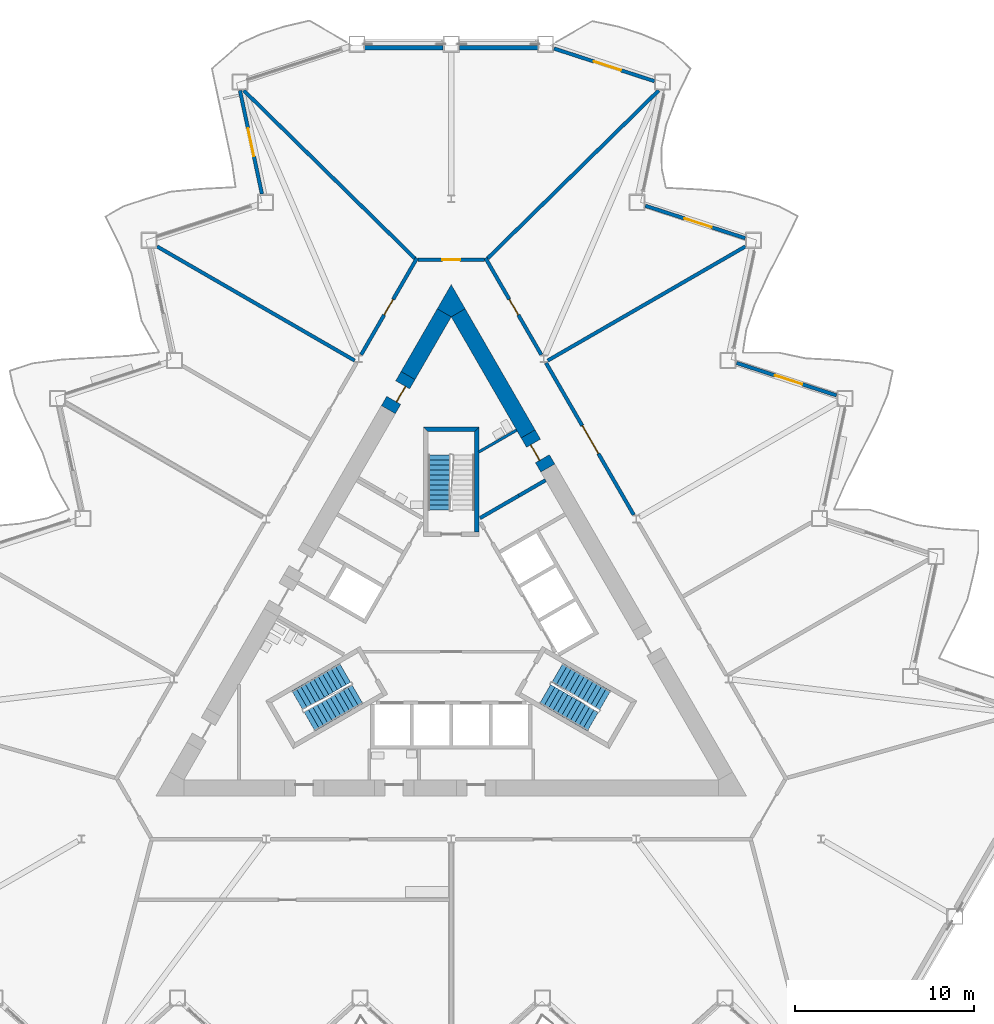
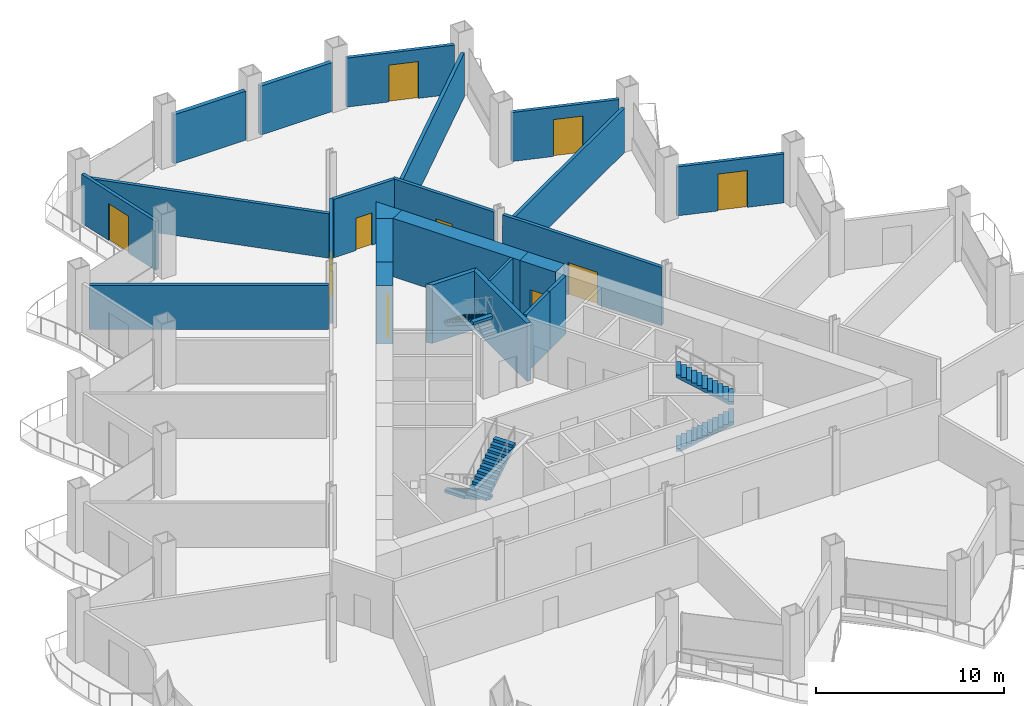
# One storey, part 13 of 21: 24 walls, 10 doors, 5 stair flights, 10 openings, 3 elements without a shape of their own.
"""IFC4 building model written with IfcOpenShell, lengths in metres."""

from ifc_helpers import new_model, si_unit, direction, frame, frame_2d, origin, place, context, subcontext, project, spatial, polyline, rectangle, outline, extrude, material, layer, layer_set, type_object, element, fill, aggregate, save


model = new_model("IFC4")

# Units and contexts
model_context = context("Model", 3, precision=1e-05, world=origin(), true_north=direction((0.0, 1.0)))
body_context = subcontext(model_context, "Body", "Model", "MODEL_VIEW")
ifc_project = project(units=[si_unit("LENGTHUNIT", "METRE"), si_unit("AREAUNIT", "SQUARE_METRE"), si_unit("VOLUMEUNIT", "CUBIC_METRE"), si_unit("PLANEANGLEUNIT", "RADIAN"), si_unit("MASSUNIT", "GRAM", prefix="KILO")], contexts=[model_context])

# Site, building, storey
site_placement = place(None, origin())
site = spatial("IfcSite", under=ifc_project, at=site_placement, CompositionType="ELEMENT")
building_placement = place(site_placement, origin())
building = spatial("IfcBuilding", under=site, at=building_placement, Name="Cormorant Prow Tower", CompositionType="ELEMENT")
storey_placement = place(building_placement, frame((0.0, 0.0, 141.60009765625)))
storey = spatial("IfcBuildingStorey", under=building, at=storey_placement, Name="L30", CompositionType="ELEMENT", Elevation=141.60009765625)

# Walls
ifc_material_1 = material(Name="Gypsum board partition")
ifc_layer_1 = layer(ifc_material_1, 0.14990234375)
ifc_layer_set_1 = layer_set([ifc_layer_1], Name="Gypsum board partition")
wall_type_1 = type_object("IfcWallType", Name="Core partition 150", PredefinedType="PARTITIONING", material=ifc_layer_set_1)
wall_1_placement = place(storey_placement, frame((3.654296875, 10.923095703125, 0.0), z_axis=(0.0, 0.0, 1.0), x_axis=(-0.865974546186, -0.5000880776, 0.0)))
element("IfcWall", 1, at=wall_1_placement, inside=storey, type_object=wall_type_1, Name="Service room partition", PredefinedType="PARTITIONING", context=body_context, shape_type="SweptSolid", body=[
    extrude(rectangle(XDim=2.44677734375, YDim=0.14990234375, at=frame_2d((1.223388671875, 0.0))), origin(), (0.0, 0.0, 1.0), 3.7998046875),
])
ifc_material_2 = material(Name="Concrete 8000 psi", Category="concrete")
ifc_layer_2 = layer(ifc_material_2, 0.89990234375)
ifc_layer_set_2 = layer_set([ifc_layer_2], Name="Concrete 8000 psi")
wall_type_2 = type_object("IfcWallType", Name="Core shear wall 900", PredefinedType="SHEAR", material=ifc_layer_set_2)
wall_2_placement = place(storey_placement, frame((4.2958984375, 10.7119140625, 0.0), z_axis=(0.0, 0.0, 1.0), x_axis=(-0.500011000363, 0.866019052629, 0.0)))
element("IfcWall", 2, at=wall_2_placement, inside=storey, type_object=wall_type_2, Name="Core wall", PredefinedType="SHEAR", context=body_context, shape_type="SweptSolid", body=[
    extrude(rectangle(XDim=7.812255859375, YDim=0.89990234375, at=frame_2d((3.90625, 0.0))), origin(), (0.0, 0.0, 1.0), 3.7998046875),
])
wall_3_placement = place(storey_placement, frame((-0.3896484375, 17.4775390625, 0.0), z_axis=(0.0, 0.0, 1.0), x_axis=(-0.500046330384, -0.865998653272, 0.0)))
element("IfcWall", 3, at=wall_3_placement, inside=storey, type_object=wall_type_2, Name="Core wall", PredefinedType="SHEAR", context=body_context, shape_type="SweptSolid", body=[
    extrude(rectangle(XDim=4.04541015625, YDim=0.89990234375, at=frame_2d((2.022705078125, 0.0))), origin(), (0.0, 0.0, 1.0), 3.7998046875),
])
wall_4_placement = place(storey_placement, origin())
element("IfcWall", 4, at=wall_4_placement, inside=storey, type_object=wall_type_2, Name="Core wall corner", PredefinedType="SHEAR", context=body_context, shape_type="SweptSolid", body=[
    extrude(outline(polyline([(-0.779296875, 17.70263671875), (0.0, 19.052490234375), (0.779296875, 17.70263671875), (0.0, 17.252685546875), (-0.779296875, 17.70263671875)])), origin(), (0.0, 0.0, 1.0), 3.7998046875),
])

# Wall, opening, door
wall_5_placement = place(storey_placement, frame((5.39599609375, 8.806396484375, 0.0), z_axis=(0.0, 0.0, 1.0), x_axis=(-0.499981787252, 0.866035918664, 0.0)))
wall_5 = element("IfcWall", 5, at=wall_5_placement, inside=storey, type_object=wall_type_2, Name="Core wall door panel", PredefinedType="SHEAR", context=body_context, shape_type="SweptSolid", body=[
    extrude(rectangle(XDim=2.2001953125, YDim=0.89990234375, at=frame_2d((1.10009765625, 0.0))), origin(), (0.0, 0.0, 1.0), 3.7998046875),
])
opening_1_placement = place(wall_5_placement, frame((0.60009765625, 0.0, 0.0)))
opening_1 = element("IfcOpeningElement", 6, at=opening_1_placement, cuts=wall_5, Name="Opening L30-C21", PredefinedType="OPENING", context=body_context, shape_type="SweptSolid", body=[
    extrude(rectangle(XDim=1.0, YDim=2.10009765625, at=frame_2d((0.5, 1.050048828125))), frame((0.0, 0.4599609375, 0.0), z_axis=(0.0, -1.0, 0.0), x_axis=(1.0, 0.0, 0.0)), (0.0, 0.0, 1.0), 0.919921875),
])
ifc_material_3 = material(Name="Painted steel", Category="steel")
door_type_1 = type_object("IfcDoorType", Name="Service door 1000x2100", OperationType="NOTDEFINED", PredefinedType="DOOR", material=ifc_material_3)
door_1_placement = place(opening_1_placement, origin())
door_1 = element("IfcDoor", 7, at=door_1_placement, inside=storey, type_object=door_type_1, Name="Core door, Electrical room", OperationType="SINGLE_SWING_RIGHT", OverallHeight=2.10009765625, OverallWidth=1.0, PredefinedType="DOOR", context=body_context, shape_type="SweptSolid", body=[
    extrude(rectangle(XDim=1.0, YDim=2.10009765625, at=frame_2d((0.5, 1.050048828125))), frame((0.0, 0.205078125, 0.0), z_axis=(0.0, -1.0, 0.0), x_axis=(1.0, 0.0, 0.0)), (0.0, 0.0, 1.0), 0.050048828125),
])
fill(opening_1, door_1)

wall_6_placement = place(storey_placement, frame((-2.41259765625, 13.97412109375, 0.0), z_axis=(0.0, 0.0, 1.0), x_axis=(-0.499946605688, -0.86605622881, 0.0)))
wall_6 = element("IfcWall", 8, at=wall_6_placement, inside=storey, type_object=wall_type_2, Name="Core wall door panel", PredefinedType="SHEAR", context=body_context, shape_type="SweptSolid", body=[
    extrude(rectangle(XDim=2.199951171875, YDim=0.89990234375, at=frame_2d((1.10009765625, 0.0))), origin(), (0.0, 0.0, 1.0), 3.7998046875),
])
opening_2_placement = place(wall_6_placement, frame((0.60009765625, 0.0, 0.0)))
opening_2 = element("IfcOpeningElement", 9, at=opening_2_placement, cuts=wall_6, Name="Opening L30-C22", PredefinedType="OPENING", context=body_context, shape_type="SweptSolid", body=[
    extrude(rectangle(XDim=1.0, YDim=2.10009765625, at=frame_2d((0.5, 1.050048828125))), frame((0.0, 0.4599609375, 0.0), z_axis=(0.0, -1.0, 0.0), x_axis=(1.0, 0.0, 0.0)), (0.0, 0.0, 1.0), 0.919921875),
])
door_2_placement = place(opening_2_placement, origin())
door_2 = element("IfcDoor", 10, at=door_2_placement, inside=storey, type_object=door_type_1, Name="Core door, Toilets (men) L30", OperationType="SINGLE_SWING_RIGHT", OverallHeight=2.10009765625, OverallWidth=1.0, PredefinedType="DOOR", context=body_context, shape_type="SweptSolid", body=[
    extrude(rectangle(XDim=1.0, YDim=2.10009765625, at=frame_2d((0.5, 1.050048828125))), frame((0.0, 0.205078125, 0.0), z_axis=(0.0, -1.0, 0.0), x_axis=(1.0, 0.0, 0.0)), (0.0, 0.0, 1.0), 0.050048828125),
])
fill(opening_2, door_2)

ifc_material_4 = material(Name="Gypsum board corridor wall")
ifc_layer_3 = layer(ifc_material_4, 0.199951171875)
ifc_layer_set_3 = layer_set([ifc_layer_3], Name="Gypsum board corridor wall")
wall_type_3 = type_object("IfcWallType", Name="Corridor wall 200", PredefinedType="PARTITIONING", material=ifc_layer_set_3)
wall_7_placement = place(storey_placement, frame((5.29541015625, 14.680419921875, 0.0), z_axis=(0.0, 0.0, 1.0), x_axis=(0.500012035596, -0.866018454918, 0.0)))
wall_7 = element("IfcWall", 11, at=wall_7_placement, inside=storey, type_object=wall_type_3, Name="Corridor wall", PredefinedType="PARTITIONING", context=body_context, shape_type="SweptSolid", body=[
    extrude(rectangle(XDim=9.803466796875, YDim=0.199951171875, at=frame_2d((4.90185546875, 0.0))), origin(), (0.0, 0.0, 1.0), 3.7998046875),
])
opening_3_placement = place(wall_7_placement, frame((4.0517578125, 0.0, 0.0)))
opening_3 = element("IfcOpeningElement", 12, at=opening_3_placement, cuts=wall_7, Name="Opening L30-F07", PredefinedType="OPENING", context=body_context, shape_type="SweptSolid", body=[
    extrude(rectangle(XDim=1.800048828125, YDim=2.10009765625, at=frame_2d((0.89990234375, 1.050048828125))), frame((0.0, 0.10986328125, 0.0), z_axis=(0.0, -1.0, 0.0), x_axis=(1.0, 0.0, 0.0)), (0.0, 0.0, 1.0), 0.219970703125),
])
ifc_material_5 = material(Name="Timber door leaf", Category="wood")
door_type_2 = type_object("IfcDoorType", Name="Double door 1800x2100", OperationType="DOUBLE_DOOR_SINGLE_SWING", PredefinedType="DOOR", material=ifc_material_5)
door_3_placement = place(opening_3_placement, origin())
door_3 = element("IfcDoor", 13, at=door_3_placement, inside=storey, type_object=door_type_2, Name="Trading room door", OperationType="DOUBLE_DOOR_SINGLE_SWING", OverallHeight=2.10009765625, OverallWidth=1.800048828125, PredefinedType="DOOR", context=body_context, shape_type="SweptSolid", body=[
    extrude(rectangle(XDim=1.800048828125, YDim=2.10009765625, at=frame_2d((0.89990234375, 1.050048828125))), frame((0.0, 0.02490234375, 0.0), z_axis=(0.0, -1.0, 0.0), x_axis=(1.0, 0.0, 0.0)), (0.0, 0.0, 1.0), 0.050048828125),
])
fill(opening_3, door_3)

wall_8_placement = place(storey_placement, frame((-5.032958984375, 15.13525390625, 0.0), z_axis=(0.0, 0.0, 1.0), x_axis=(0.499980978912, 0.866036385336, 0.0)))
wall_8 = element("IfcWall", 14, at=wall_8_placement, inside=storey, type_object=wall_type_3, Name="Corridor wall", PredefinedType="PARTITIONING", context=body_context, shape_type="SweptSolid", body=[
    extrude(rectangle(XDim=6.239990234375, YDim=0.199951171875, at=frame_2d((3.1201171875, 0.0))), origin(), (0.0, 0.0, 1.0), 3.7998046875),
])
opening_4_placement = place(wall_8_placement, frame((2.569580078125, 0.0, 0.0)))
opening_4 = element("IfcOpeningElement", 15, at=opening_4_placement, cuts=wall_8, Name="Opening L30-F10", PredefinedType="OPENING", context=body_context, shape_type="SweptSolid", body=[
    extrude(rectangle(XDim=1.0, YDim=2.10009765625, at=frame_2d((0.5, 1.050048828125))), frame((0.0, 0.10986328125, 0.0), z_axis=(0.0, -1.0, 0.0), x_axis=(1.0, 0.0, 0.0)), (0.0, 0.0, 1.0), 0.219970703125),
])
ifc_material_6 = material(Name="Timber door leaf", Category="wood")
door_type_3 = type_object("IfcDoorType", Name="Office door 1000x2100", OperationType="NOTDEFINED", PredefinedType="DOOR", material=ifc_material_6)
door_4_placement = place(opening_4_placement, origin())
door_4 = element("IfcDoor", 16, at=door_4_placement, inside=storey, type_object=door_type_3, Name="Co-working room door", OperationType="SINGLE_SWING_RIGHT", OverallHeight=2.10009765625, OverallWidth=1.0, PredefinedType="DOOR", context=body_context, shape_type="SweptSolid", body=[
    extrude(rectangle(XDim=1.0, YDim=2.10009765625, at=frame_2d((0.5, 1.050048828125))), frame((0.0, 0.02490234375, 0.0), z_axis=(0.0, -1.0, 0.0), x_axis=(1.0, 0.0, 0.0)), (0.0, 0.0, 1.0), 0.050048828125),
])
fill(opening_4, door_4)

wall_9_placement = place(storey_placement, frame((1.9130859375, 20.539306640625, 0.0), z_axis=(0.0, 0.0, 1.0), x_axis=(0.499980978912, -0.866036385336, 0.0)))
wall_9 = element("IfcWall", 17, at=wall_9_placement, inside=storey, type_object=wall_type_3, Name="Corridor wall", PredefinedType="PARTITIONING", context=body_context, shape_type="SweptSolid", body=[
    extrude(rectangle(XDim=6.239990234375, YDim=0.199951171875, at=frame_2d((3.1201171875, 0.0))), origin(), (0.0, 0.0, 1.0), 3.7998046875),
])
opening_5_placement = place(wall_9_placement, frame((2.67041015625, 0.0, 0.0)))
opening_5 = element("IfcOpeningElement", 18, at=opening_5_placement, cuts=wall_9, Name="Opening L30-F08", PredefinedType="OPENING", context=body_context, shape_type="SweptSolid", body=[
    extrude(rectangle(XDim=1.0, YDim=2.10009765625, at=frame_2d((0.5, 1.050048828125))), frame((0.0, 0.10986328125, 0.0), z_axis=(0.0, -1.0, 0.0), x_axis=(1.0, 0.0, 0.0)), (0.0, 0.0, 1.0), 0.219970703125),
])
door_5_placement = place(opening_5_placement, origin())
door_5 = element("IfcDoor", 19, at=door_5_placement, inside=storey, type_object=door_type_3, Name="Open-plan office door", OperationType="SINGLE_SWING_RIGHT", OverallHeight=2.10009765625, OverallWidth=1.0, PredefinedType="DOOR", context=body_context, shape_type="SweptSolid", body=[
    extrude(rectangle(XDim=1.0, YDim=2.10009765625, at=frame_2d((0.5, 1.050048828125))), frame((0.0, 0.02490234375, 0.0), z_axis=(0.0, -1.0, 0.0), x_axis=(1.0, 0.0, 0.0)), (0.0, 0.0, 1.0), 0.050048828125),
])
fill(opening_5, door_5)

wall_10_placement = place(storey_placement, frame((-1.863037109375, 20.45263671875, 0.0), z_axis=(0.0, 0.0, 1.0), x_axis=(1.0, 0.0, 0.0)))
wall_10 = element("IfcWall", 20, at=wall_10_placement, inside=storey, type_object=wall_type_3, Name="Corridor wall", PredefinedType="PARTITIONING", context=body_context, shape_type="SweptSolid", body=[
    extrude(rectangle(XDim=3.72607421875, YDim=0.199951171875, at=frame_2d((1.863037109375, 0.0))), origin(), (0.0, 0.0, 1.0), 3.7998046875),
])
opening_6_placement = place(wall_10_placement, frame((1.363037109375, 0.0, 0.0)))
opening_6 = element("IfcOpeningElement", 21, at=opening_6_placement, cuts=wall_10, Name="Opening L30-F09", PredefinedType="OPENING", context=body_context, shape_type="SweptSolid", body=[
    extrude(rectangle(XDim=1.0, YDim=2.10009765625, at=frame_2d((0.5, 1.050048828125))), frame((0.0, 0.10986328125, 0.0), z_axis=(0.0, -1.0, 0.0), x_axis=(1.0, 0.0, 0.0)), (0.0, 0.0, 1.0), 0.219970703125),
])
door_6_placement = place(opening_6_placement, origin())
door_6 = element("IfcDoor", 22, at=door_6_placement, inside=storey, type_object=door_type_3, Name="Tenant suite door", OperationType="SINGLE_SWING_RIGHT", OverallHeight=2.10009765625, OverallWidth=1.0, PredefinedType="DOOR", context=body_context, shape_type="SweptSolid", body=[
    extrude(rectangle(XDim=1.0, YDim=2.10009765625, at=frame_2d((0.5, 1.050048828125))), frame((0.0, 0.02490234375, 0.0), z_axis=(0.0, -1.0, 0.0), x_axis=(1.0, 0.0, 0.0)), (0.0, 0.0, 1.0), 0.050048828125),
])
fill(opening_6, door_6)

# Walls
ifc_material_7 = material(Name="Gypsum board demising wall")
ifc_layer_4 = layer(ifc_material_7, 0.199951171875)
ifc_layer_set_4 = layer_set([ifc_layer_4], Name="Gypsum board demising wall")
wall_type_4 = type_object("IfcWallType", Name="Demising wall 200", PredefinedType="PARTITIONING", material=ifc_layer_set_4)
for number, where, z_axis, x_axis, name in (
    (23, (2.034423828125, 20.522705078125, 0.0), (0.0, 0.0, 1.0), (0.713664516359, 0.700487657343, 0.0), "Demising wall"),
    (24, (-11.594482421875, 29.90625, 0.0), (0.0, 0.0, 1.0), (0.713664516359, -0.700487657343, 0.0), "Demising wall"),
):
    element("IfcWall", number, at=place(storey_placement, frame(where, z_axis=z_axis, x_axis=x_axis)), inside=storey, type_object=wall_type_4, Name=name, PredefinedType="PARTITIONING", context=body_context, shape_type="SweptSolid", body=[
        extrude(rectangle(XDim=13.395751953125, YDim=0.199951171875, at=frame_2d((6.69775390625, 0.0))), origin(), (0.0, 0.0, 1.0), 2.88525390625),
    ])
for number, where, z_axis, x_axis, name in (
    (25, (5.3916015625, 14.808837890625, 0.0), (0.0, 0.0, 1.0), (0.866023321739, 0.500003606191, 0.0), "Demising wall"),
    (26, (-16.436279296875, 21.185546875, 0.0), (0.0, 0.0, 1.0), (0.866023321739, -0.500003606191, 0.0), "Demising wall"),
):
    element("IfcWall", number, at=place(storey_placement, frame(where, z_axis=z_axis, x_axis=x_axis)), inside=storey, type_object=wall_type_4, Name=name, PredefinedType="PARTITIONING", context=body_context, shape_type="SweptSolid", body=[
        extrude(rectangle(XDim=12.75341796875, YDim=0.199951171875, at=frame_2d((6.376708984375, 0.0))), origin(), (0.0, 0.0, 1.0), 2.88525390625),
    ])
ifc_material_8 = material(Name="Concrete 8000 psi", Category="concrete")
ifc_layer_5 = layer(ifc_material_8, 0.199951171875)
ifc_layer_set_5 = layer_set([ifc_layer_5], Name="Concrete 8000 psi")
wall_type_5 = type_object("IfcWallType", Name="Lift shaft wall 200", PredefinedType="SHEAR", material=ifc_layer_set_5)
wall_11_placement = place(storey_placement, origin())
element("IfcWall", 27, at=wall_11_placement, inside=storey, type_object=wall_type_5, Name="Lift shaft walls, ENE block", PredefinedType="SHEAR", context=body_context, shape_type="SweptSolid", body=[
    extrude(outline(polyline([(1.560546875, 6.09716796875), (3.730712890625, 7.35009765625), (3.830810546875, 7.177001953125), (1.660400390625, 5.923828125), (1.560546875, 6.09716796875)])), origin(), (0.0, 0.0, 1.0), 3.7998046875),
])
wall_12_placement = place(storey_placement, frame((3.78076171875, 7.263427734375, 0.0), z_axis=(0.0, 0.0, 1.0), x_axis=(0.865963414263, 0.500107353632, 0.0)))
element("IfcWall", 28, at=wall_12_placement, inside=storey, type_object=wall_type_5, Name="Store side wall", PredefinedType="SHEAR", context=body_context, shape_type="SweptSolid", body=[
    extrude(rectangle(XDim=1.72021484375, YDim=0.199951171875, at=frame_2d((0.860107421875, 0.0))), origin(), (0.0, 0.0, 1.0), 3.7998046875),
])
ifc_material_9 = material(Name="Concrete 8000 psi", Category="concrete")
ifc_layer_6 = layer(ifc_material_9, 0.25)
ifc_layer_set_6 = layer_set([ifc_layer_6], Name="Concrete 8000 psi")
wall_type_6 = type_object("IfcWallType", Name="Stair wall 250", PredefinedType="SHEAR", material=ifc_layer_set_6)
wall_13_placement = place(storey_placement, origin())
element("IfcWall", 29, at=wall_13_placement, inside=storey, type_object=wall_type_6, Name="Stair ST3 enclosure wall (flank)", PredefinedType="SHEAR", context=body_context, shape_type="SweptSolid", body=[
    extrude(outline(polyline([(1.5439453125, 5.23681640625), (1.5439453125, 11.0869140625), (1.2939453125, 10.8369140625), (1.2939453125, 5.23681640625), (1.5439453125, 5.23681640625)])), origin(), (0.0, 0.0, 1.0), 3.7998046875),
])
wall_14_placement = place(storey_placement, origin())
element("IfcWall", 30, at=wall_14_placement, inside=storey, type_object=wall_type_6, Name="Stair ST3 enclosure wall (end)", PredefinedType="SHEAR", context=body_context, shape_type="SweptSolid", body=[
    extrude(outline(polyline([(1.5439453125, 11.0869140625), (-1.5439453125, 11.0869140625), (-1.2939453125, 10.8369140625), (1.2939453125, 10.8369140625), (1.5439453125, 11.0869140625)])), origin(), (0.0, 0.0, 1.0), 3.7998046875),
])
ifc_material_10 = material(Name="Terracotta", Category="masonry")
ifc_layer_7 = layer(ifc_material_10, 0.25)
ifc_layer_set_7 = layer_set([ifc_layer_7], Name="Terracotta")
wall_type_7 = type_object("IfcWallType", Name="Terracotta bay wall 250", PredefinedType="SOLIDWALL", material=ifc_layer_set_7)
for number, where, z_axis, x_axis, name in (
    (31, (4.87890625, 32.299072265625, 0.0), (0.0, 0.0, 1.0), (-1.0, 0.0, 0.0), "Terracotta bay wall N00"),
    (32, (-0.449951171875, 32.299072265625, 0.0), (0.0, 0.0, 1.0), (-1.0, 0.0, 0.0), "Terracotta bay wall N01"),
):
    element("IfcWall", number, at=place(storey_placement, frame(where, z_axis=z_axis, x_axis=x_axis)), inside=storey, type_object=wall_type_7, Name=name, PredefinedType="SOLIDWALL", context=body_context, shape_type="SweptSolid", body=[
        extrude(rectangle(XDim=4.428955078125, YDim=0.25, at=frame_2d((2.21435546875, 0.0))), origin(), (0.0, 0.0, 1.0), 3.188720703125),
    ])

# Wall, opening, door
ifc_material_11 = material(Name="Terracotta", Category="masonry")
ifc_layer_8 = layer(ifc_material_11, 0.199951171875)
ifc_layer_set_8 = layer_set([ifc_layer_8], Name="Terracotta")
wall_type_8 = type_object("IfcWallType", Name="Terracotta jamb wall 200", PredefinedType="SOLIDWALL", material=ifc_layer_set_8)
wall_15_placement = place(storey_placement, frame((21.521484375, 12.864990234375, 0.0), z_axis=(0.0, 0.0, 1.0), x_axis=(-0.951049976734, 0.309037120351, 0.0)))
wall_15 = element("IfcWall", 33, at=wall_15_placement, inside=storey, type_object=wall_type_8, Name="Terracotta jamb wall ENE05", PredefinedType="SOLIDWALL", context=body_context, shape_type="SweptSolid", body=[
    extrude(rectangle(XDim=5.8642578125, YDim=0.199951171875, at=frame_2d((2.93212890625, 0.0))), origin(), (0.0, 0.0, 1.0), 3.188720703125),
])
opening_7_placement = place(wall_15_placement, frame((2.005126953125, 0.0, 0.0)))
opening_7 = element("IfcOpeningElement", 34, at=opening_7_placement, cuts=wall_15, Name="Opening ED30.08", PredefinedType="OPENING", context=body_context, shape_type="SweptSolid", body=[
    extrude(rectangle(XDim=1.60009765625, YDim=2.39990234375, at=frame_2d((0.800048828125, 1.199951171875))), frame((0.0, 0.10986328125, 0.0), z_axis=(0.0, -1.0, 0.0), x_axis=(1.0, 0.0, 0.0)), (0.0, 0.0, 1.0), 0.219970703125),
])
ifc_material_12 = material(Name="Aluminium 6063-T6", Category="aluminium")
door_type_4 = type_object("IfcDoorType", Name="Balcony door 1600x2400", OperationType="DOUBLE_DOOR_SINGLE_SWING", PredefinedType="DOOR", material=ifc_material_12)
door_7_placement = place(opening_7_placement, origin())
door_7 = element("IfcDoor", 35, at=door_7_placement, inside=storey, type_object=door_type_4, Name="Balcony door ENE05 ED30.08", OperationType="DOUBLE_DOOR_SINGLE_SWING", OverallHeight=2.39990234375, OverallWidth=1.60009765625, PredefinedType="DOOR", context=body_context, shape_type="SweptSolid", body=[
    extrude(rectangle(XDim=1.60009765625, YDim=2.39990234375, at=frame_2d((0.800048828125, 1.199951171875))), frame((0.0, 0.02490234375, 0.0), z_axis=(0.0, -1.0, 0.0), x_axis=(1.0, 0.0, 0.0)), (0.0, 0.0, 1.0), 0.050048828125),
])
fill(opening_7, door_7)

wall_16_placement = place(storey_placement, frame((16.425048828125, 21.6474609375, 0.0), z_axis=(0.0, 0.0, 1.0), x_axis=(-0.951060665462, 0.309004224261, 0.0)))
wall_16 = element("IfcWall", 36, at=wall_16_placement, inside=storey, type_object=wall_type_8, Name="Terracotta jamb wall ENE07", PredefinedType="SOLIDWALL", context=body_context, shape_type="SweptSolid", body=[
    extrude(rectangle(XDim=5.867919921875, YDim=0.199951171875, at=frame_2d((2.93408203125, 0.0))), origin(), (0.0, 0.0, 1.0), 3.188720703125),
])
opening_8_placement = place(wall_16_placement, frame((1.971435546875, 0.0, 0.0)))
opening_8 = element("IfcOpeningElement", 37, at=opening_8_placement, cuts=wall_16, Name="Opening ED30.09", PredefinedType="OPENING", context=body_context, shape_type="SweptSolid", body=[
    extrude(rectangle(XDim=1.60009765625, YDim=2.39990234375, at=frame_2d((0.800048828125, 1.199951171875))), frame((0.0, 0.10986328125, 0.0), z_axis=(0.0, -1.0, 0.0), x_axis=(1.0, 0.0, 0.0)), (0.0, 0.0, 1.0), 0.219970703125),
])
door_8_placement = place(opening_8_placement, origin())
door_8 = element("IfcDoor", 38, at=door_8_placement, inside=storey, type_object=door_type_4, Name="Balcony door ENE07 ED30.09", OperationType="DOUBLE_DOOR_SINGLE_SWING", OverallHeight=2.39990234375, OverallWidth=1.60009765625, PredefinedType="DOOR", context=body_context, shape_type="SweptSolid", body=[
    extrude(rectangle(XDim=1.60009765625, YDim=2.39990234375, at=frame_2d((0.800048828125, 1.199951171875))), frame((0.0, 0.02490234375, 0.0), z_axis=(0.0, -1.0, 0.0), x_axis=(1.0, 0.0, 0.0)), (0.0, 0.0, 1.0), 0.050048828125),
])
fill(opening_8, door_8)

wall_17_placement = place(storey_placement, frame((11.360595703125, 30.41943359375, 0.0), z_axis=(0.0, 0.0, 1.0), x_axis=(-0.951049866095, 0.309037460836, 0.0)))
wall_17 = element("IfcWall", 39, at=wall_17_placement, inside=storey, type_object=wall_type_8, Name="Terracotta jamb wall ENE09", PredefinedType="SOLIDWALL", context=body_context, shape_type="SweptSolid", body=[
    extrude(rectangle(XDim=5.9052734375, YDim=0.199951171875, at=frame_2d((2.95263671875, 0.0))), origin(), (0.0, 0.0, 1.0), 3.188720703125),
])
opening_9_placement = place(wall_17_placement, frame((1.971435546875, 0.0, 0.0)))
opening_9 = element("IfcOpeningElement", 40, at=opening_9_placement, cuts=wall_17, Name="Opening ED30.10", PredefinedType="OPENING", context=body_context, shape_type="SweptSolid", body=[
    extrude(rectangle(XDim=1.60009765625, YDim=2.39990234375, at=frame_2d((0.800048828125, 1.199951171875))), frame((0.0, 0.10986328125, 0.0), z_axis=(0.0, -1.0, 0.0), x_axis=(1.0, 0.0, 0.0)), (0.0, 0.0, 1.0), 0.219970703125),
])
door_9_placement = place(opening_9_placement, origin())
door_9 = element("IfcDoor", 41, at=door_9_placement, inside=storey, type_object=door_type_4, Name="Balcony door ENE09 ED30.10", OperationType="DOUBLE_DOOR_SINGLE_SWING", OverallHeight=2.39990234375, OverallWidth=1.60009765625, PredefinedType="DOOR", context=body_context, shape_type="SweptSolid", body=[
    extrude(rectangle(XDim=1.60009765625, YDim=2.39990234375, at=frame_2d((0.800048828125, 1.199951171875))), frame((0.0, 0.02490234375, 0.0), z_axis=(0.0, -1.0, 0.0), x_axis=(1.0, 0.0, 0.0)), (0.0, 0.0, 1.0), 0.050048828125),
])
fill(opening_9, door_9)

wall_18_placement = place(storey_placement, frame((-11.80517578125, 29.899658203125, 0.0), z_axis=(0.0, 0.0, 1.0), x_axis=(0.207917562075, -0.978146352741, 0.0)))
wall_18 = element("IfcWall", 42, at=wall_18_placement, inside=storey, type_object=wall_type_8, Name="Terracotta jamb wall WNW01", PredefinedType="SOLIDWALL", context=body_context, shape_type="SweptSolid", body=[
    extrude(rectangle(XDim=5.90869140625, YDim=0.199951171875, at=frame_2d((2.954345703125, 0.0))), origin(), (0.0, 0.0, 1.0), 3.188720703125),
])
opening_10_placement = place(wall_18_placement, frame((2.158447265625, 0.0, 0.0)))
opening_10 = element("IfcOpeningElement", 43, at=opening_10_placement, cuts=wall_18, Name="Opening ED30.11", PredefinedType="OPENING", context=body_context, shape_type="SweptSolid", body=[
    extrude(rectangle(XDim=1.60009765625, YDim=2.39990234375, at=frame_2d((0.800048828125, 1.199951171875))), frame((0.0, 0.10986328125, 0.0), z_axis=(0.0, -1.0, 0.0), x_axis=(1.0, 0.0, 0.0)), (0.0, 0.0, 1.0), 0.219970703125),
])
door_10_placement = place(opening_10_placement, origin())
door_10 = element("IfcDoor", 44, at=door_10_placement, inside=storey, type_object=door_type_4, Name="Balcony door WNW01 ED30.11", OperationType="DOUBLE_DOOR_SINGLE_SWING", OverallHeight=2.39990234375, OverallWidth=1.60009765625, PredefinedType="DOOR", context=body_context, shape_type="SweptSolid", body=[
    extrude(rectangle(XDim=1.60009765625, YDim=2.39990234375, at=frame_2d((0.800048828125, 1.199951171875))), frame((0.0, 0.02490234375, 0.0), z_axis=(0.0, -1.0, 0.0), x_axis=(1.0, 0.0, 0.0)), (0.0, 0.0, 1.0), 0.050048828125),
])
fill(opening_10, door_10)

# Stair, stair flights
ifc_material_13 = material(Name="Exit stair 24 risers")
stair_type = type_object("IfcStairType", Name="Exit stair 24 risers", PredefinedType="HALF_TURN_STAIR", material=ifc_material_13)
stair_1_placement = place(storey_placement, origin())
stair_1 = element("IfcStair", 45, at=stair_1_placement, inside=storey, type_object=stair_type, Name="L30 Exit stair ST1", PredefinedType="HALF_TURN_STAIR")
ifc_material_14 = material(Name="Concrete 5000 psi", Category="concrete")
stair_flight_type = type_object("IfcStairFlightType", Name="Stair flight 1219", PredefinedType="STRAIGHT", material=ifc_material_14)
stair_flight_1_placement = place(storey_placement, frame((-5.93310546875, -2.635009765625, 0.0), z_axis=(0.0, 0.0, 1.0), x_axis=(-0.866025403784, -0.5, 0.0)))
stair_flight_1 = element("IfcStairFlight", 46, at=stair_flight_1_placement, type_object=stair_flight_type, Name="ST1 flight 1", NumberOfRisers=12, NumberOfTreads=11, PredefinedType="STRAIGHT", RiserHeight=0.175, TreadLength=0.28, context=body_context, shape_type="SweptSolid", body=[
    extrude(outline(polyline([(0.0, 0.0), (0.0, 0.175048828125), (0.280029296875, 0.175048828125), (0.280029296875, 0.35009765625), (0.56005859375, 0.35009765625), (0.56005859375, 0.52490234375), (0.840087890625, 0.52490234375), (0.840087890625, 0.699951171875), (1.1201171875, 0.699951171875), (1.1201171875, 0.875), (1.39990234375, 0.875), (1.39990234375, 1.050048828125), (1.679931640625, 1.050048828125), (1.679931640625, 1.22509765625), (1.9599609375, 1.22509765625), (1.9599609375, 1.39990234375), (2.239990234375, 1.39990234375), (2.239990234375, 1.574951171875), (2.52001953125, 1.574951171875), (2.52001953125, 1.75), (2.800048828125, 1.75), (2.800048828125, 1.925048828125), (3.080078125, 1.925048828125), (3.080078125, 2.10009765625), (3.080078125, 1.748291015625), (0.28271484375, 0.0), (0.0, 0.0)])), frame((0.0, 0.609375, 0.0), z_axis=(0.0, -1.0, 0.0), x_axis=(1.0, 0.0, 0.0)), (0.0, 0.0, 1.0), 1.218994140625),
])
stair_flight_2_placement = place(storey_placement, frame((-7.916015625, -5.360595703125, 2.099853515625), z_axis=(0.0, 0.0, 1.0), x_axis=(0.866025403784, 0.5, 0.0)))
stair_flight_2 = element("IfcStairFlight", 47, at=stair_flight_2_placement, type_object=stair_flight_type, Name="ST1 flight 2", NumberOfRisers=12, NumberOfTreads=11, PredefinedType="STRAIGHT", RiserHeight=0.175, TreadLength=0.28, context=body_context, shape_type="SweptSolid", body=[
    extrude(outline(polyline([(0.0, 0.0), (0.0, 0.175048828125), (0.280029296875, 0.175048828125), (0.280029296875, 0.35009765625), (0.56005859375, 0.35009765625), (0.56005859375, 0.52490234375), (0.840087890625, 0.52490234375), (0.840087890625, 0.699951171875), (1.1201171875, 0.699951171875), (1.1201171875, 0.875), (1.39990234375, 0.875), (1.39990234375, 1.050048828125), (1.679931640625, 1.050048828125), (1.679931640625, 1.22509765625), (1.9599609375, 1.22509765625), (1.9599609375, 1.39990234375), (2.239990234375, 1.39990234375), (2.239990234375, 1.574951171875), (2.52001953125, 1.574951171875), (2.52001953125, 1.75), (2.800048828125, 1.75), (2.800048828125, 1.925048828125), (3.080078125, 1.925048828125), (3.080078125, 2.10009765625), (3.080078125, 1.748291015625), (0.28271484375, 0.0), (0.0, 0.0)])), frame((0.0, 0.609375, 0.0), z_axis=(0.0, -1.0, 0.0), x_axis=(1.0, 0.0, 0.0)), (0.0, 0.0, 1.0), 1.218994140625),
])
aggregate(stair_1, [stair_flight_1, stair_flight_2])

stair_2_placement = place(storey_placement, origin())
stair_2 = element("IfcStair", 48, at=stair_2_placement, inside=storey, type_object=stair_type, Name="L30 Exit stair ST2", PredefinedType="HALF_TURN_STAIR")
stair_flight_3_placement = place(storey_placement, frame((5.24853515625, -3.82080078125, 0.0), z_axis=(0.0, 0.0, 1.0), x_axis=(0.866025403784, -0.5, 0.0)))
stair_flight_3 = element("IfcStairFlight", 49, at=stair_flight_3_placement, type_object=stair_flight_type, Name="ST2 flight 1", NumberOfRisers=12, NumberOfTreads=11, PredefinedType="STRAIGHT", RiserHeight=0.175, TreadLength=0.28, context=body_context, shape_type="SweptSolid", body=[
    extrude(outline(polyline([(0.0, 0.0), (0.0, 0.175048828125), (0.280029296875, 0.175048828125), (0.280029296875, 0.35009765625), (0.56005859375, 0.35009765625), (0.56005859375, 0.52490234375), (0.840087890625, 0.52490234375), (0.840087890625, 0.699951171875), (1.1201171875, 0.699951171875), (1.1201171875, 0.875), (1.39990234375, 0.875), (1.39990234375, 1.050048828125), (1.679931640625, 1.050048828125), (1.679931640625, 1.22509765625), (1.9599609375, 1.22509765625), (1.9599609375, 1.39990234375), (2.239990234375, 1.39990234375), (2.239990234375, 1.574951171875), (2.52001953125, 1.574951171875), (2.52001953125, 1.75), (2.800048828125, 1.75), (2.800048828125, 1.925048828125), (3.080078125, 1.925048828125), (3.080078125, 2.10009765625), (3.080078125, 1.748291015625), (0.28271484375, 0.0), (0.0, 0.0)])), frame((0.0, 0.609375, 0.0), z_axis=(0.0, -1.0, 0.0), x_axis=(1.0, 0.0, 0.0)), (0.0, 0.0, 1.0), 1.218994140625),
])
stair_flight_4_placement = place(storey_placement, frame((8.6005859375, -4.175048828125, 2.099853515625), z_axis=(0.0, 0.0, 1.0), x_axis=(-0.866025403784, 0.5, 0.0)))
stair_flight_4 = element("IfcStairFlight", 50, at=stair_flight_4_placement, type_object=stair_flight_type, Name="ST2 flight 2", NumberOfRisers=12, NumberOfTreads=11, PredefinedType="STRAIGHT", RiserHeight=0.175, TreadLength=0.28, context=body_context, shape_type="SweptSolid", body=[
    extrude(outline(polyline([(0.0, 0.0), (0.0, 0.175048828125), (0.280029296875, 0.175048828125), (0.280029296875, 0.35009765625), (0.56005859375, 0.35009765625), (0.56005859375, 0.52490234375), (0.840087890625, 0.52490234375), (0.840087890625, 0.699951171875), (1.1201171875, 0.699951171875), (1.1201171875, 0.875), (1.39990234375, 0.875), (1.39990234375, 1.050048828125), (1.679931640625, 1.050048828125), (1.679931640625, 1.22509765625), (1.9599609375, 1.22509765625), (1.9599609375, 1.39990234375), (2.239990234375, 1.39990234375), (2.239990234375, 1.574951171875), (2.52001953125, 1.574951171875), (2.52001953125, 1.75), (2.800048828125, 1.75), (2.800048828125, 1.925048828125), (3.080078125, 1.925048828125), (3.080078125, 2.10009765625), (3.080078125, 1.748291015625), (0.28271484375, 0.0), (0.0, 0.0)])), frame((0.0, 0.609375, 0.0), z_axis=(0.0, -1.0, 0.0), x_axis=(1.0, 0.0, 0.0)), (0.0, 0.0, 1.0), 1.218994140625),
])
aggregate(stair_2, [stair_flight_3, stair_flight_4])

# Stair, stair flight
stair_3_placement = place(storey_placement, origin())
stair_3 = element("IfcStair", 51, at=stair_3_placement, inside=storey, type_object=stair_type, Name="L30 Exit stair ST3", PredefinedType="HALF_TURN_STAIR")
stair_flight_5_placement = place(storey_placement, frame((-0.6845703125, 9.535888671875, 2.099853515625), z_axis=(0.0, 0.0, 1.0), x_axis=(0.0, -1.0, 0.0)))
stair_flight_5 = element("IfcStairFlight", 52, at=stair_flight_5_placement, type_object=stair_flight_type, Name="ST3 flight 2", NumberOfRisers=12, NumberOfTreads=11, PredefinedType="STRAIGHT", RiserHeight=0.175, TreadLength=0.28, context=body_context, shape_type="SweptSolid", body=[
    extrude(outline(polyline([(0.0, 0.0), (0.0, 0.175048828125), (0.280029296875, 0.175048828125), (0.280029296875, 0.35009765625), (0.56005859375, 0.35009765625), (0.56005859375, 0.52490234375), (0.840087890625, 0.52490234375), (0.840087890625, 0.699951171875), (1.1201171875, 0.699951171875), (1.1201171875, 0.875), (1.39990234375, 0.875), (1.39990234375, 1.050048828125), (1.679931640625, 1.050048828125), (1.679931640625, 1.22509765625), (1.9599609375, 1.22509765625), (1.9599609375, 1.39990234375), (2.239990234375, 1.39990234375), (2.239990234375, 1.574951171875), (2.52001953125, 1.574951171875), (2.52001953125, 1.75), (2.800048828125, 1.75), (2.800048828125, 1.925048828125), (3.080078125, 1.925048828125), (3.080078125, 2.10009765625), (3.080078125, 1.748291015625), (0.28271484375, 0.0), (0.0, 0.0)])), frame((0.0, 0.609375, 0.0), z_axis=(0.0, -1.0, 0.0), x_axis=(1.0, 0.0, 0.0)), (0.0, 0.0, 1.0), 1.218994140625),
])
aggregate(stair_3, [stair_flight_5])

save(model, "model.ifc")
